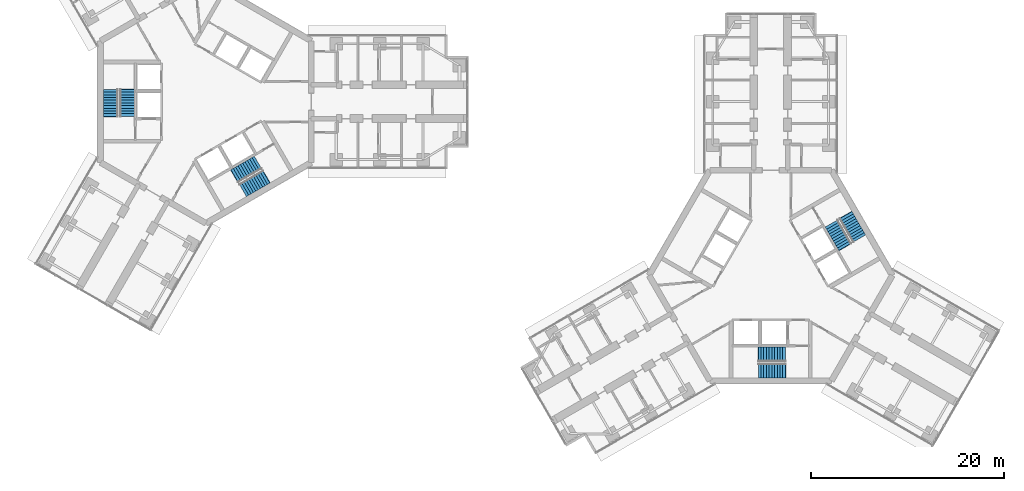
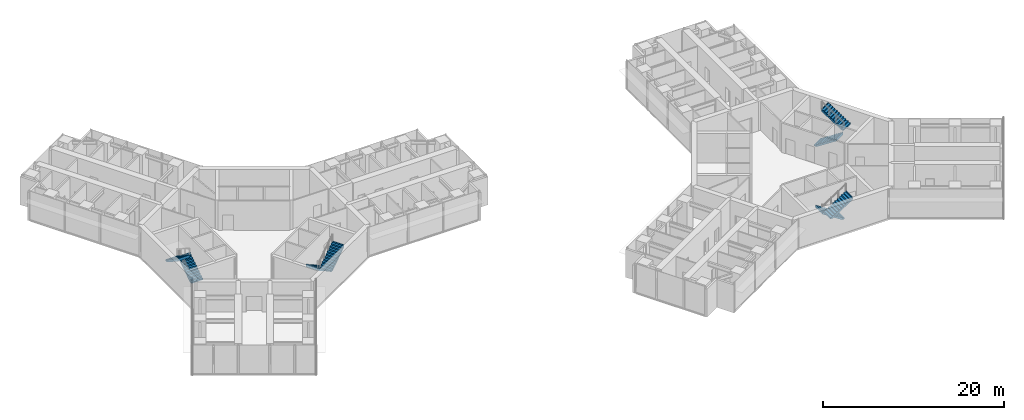
# One storey, part 21 of 22: 8 stair flights, 4 elements without a shape of their own.
"""IFC4 building model written with IfcOpenShell, lengths in metres."""

import ifcopenshell
import ifcopenshell.guid

model = None  # the IFC model being written
_history = None  # IfcOwnerHistory: only IFC2X3 demands one
_inside = {}  # id of a spatial element -> (the spatial element, [elements in it])
_under = {}  # id of a project, library or spatial element -> (it, [spatial elements below it])
_declared = {}  # id of a project -> (the project, [libraries it declares])
_typed = {}  # id of a type object -> (the type object, [elements of that type])
_made_of = {}  # id of a material, layer set ... -> (it, [elements and type objects made of it])


def new_model(schema):
    """Start an empty IFC model of exactly this schema.

    Asked for "IFC4X3", IfcOpenShell would pick the latest addendum, in which some entities
    have other attributes; the version numbers below select the first issue.
    IFC2X3 requires an IfcOwnerHistory on every rooted entity: one is made here for all.
    """
    global model, _history
    if schema == "IFC4X3":
        model = ifcopenshell.file(schema_version=(4, 3, 0, 0))
    else:
        model = ifcopenshell.file(schema=schema)
    _inside.clear()
    _under.clear()
    _declared.clear()
    _typed.clear()
    _made_of.clear()
    _history = None
    if model.schema == "IFC2X3":
        org = make("IfcOrganization", Name="unknown")
        user = make(
            "IfcPersonAndOrganization",
            ThePerson=make("IfcPerson", FamilyName="unknown"),
            TheOrganization=org,
        )
        app = make(
            "IfcApplication",
            ApplicationDeveloper=org,
            Version="unknown",
            ApplicationFullName="unknown",
            ApplicationIdentifier="unknown",
        )
        _history = make(
            "IfcOwnerHistory",
            OwningUser=user,
            OwningApplication=app,
            ChangeAction="ADDED",
            CreationDate=0,
        )
    return model


def make(cls, **values):
    """One entity of the class cls with the attributes given. An attribute that is None is left unset."""
    return model.create_entity(
        cls, **{name: value for name, value in values.items() if value is not None}
    )


def rooted(cls, **values):
    """An entity with a GlobalId (a new one), such as an element, a storey or a relation."""
    return make(cls, GlobalId=ifcopenshell.guid.new(), OwnerHistory=_history, **values)


def si_unit(unit_type, name, prefix=None):
    """IfcSIUnit, for example si_unit("LENGTHUNIT", "METRE", prefix="MILLI")."""
    return make("IfcSIUnit", UnitType=unit_type, Prefix=prefix, Name=name)


def assignment(units):
    """IfcUnitAssignment: the units of a project."""
    return None if units is None else make("IfcUnitAssignment", Units=units)


def point(xyz):
    """IfcCartesianPoint."""
    return None if xyz is None else make("IfcCartesianPoint", Coordinates=xyz)


def direction(xyz):
    """IfcDirection."""
    return None if xyz is None else make("IfcDirection", DirectionRatios=xyz)


def frame(location, z_axis=None, x_axis=None):
    """IfcAxis2Placement3D, a coordinate frame: its origin and axes. An axis left out is left unset."""
    return make(
        "IfcAxis2Placement3D",
        Location=point(location),
        Axis=direction(z_axis),
        RefDirection=direction(x_axis),
    )


def origin():
    """The frame at (0, 0, 0) with its axes left unset."""
    return frame((0.0, 0.0, 0.0))


def place(relative_to, where):
    """IfcLocalPlacement: puts the frame where relative to a parent placement (None: the world)."""
    return make(
        "IfcLocalPlacement", PlacementRelTo=relative_to, RelativePlacement=where
    )


def context(
    kind, dimensions, precision=None, world=None, true_north=None, identifier=None
):
    """IfcGeometricRepresentationContext, for example the 3D "Model" context."""
    return make(
        "IfcGeometricRepresentationContext",
        ContextIdentifier=identifier,
        ContextType=kind,
        CoordinateSpaceDimension=dimensions,
        Precision=precision,
        WorldCoordinateSystem=world,
        TrueNorth=true_north,
    )


def subcontext(parent, identifier, kind, view, scale=None):
    """IfcGeometricRepresentationSubContext, for example "Body" below "Model"."""
    return make(
        "IfcGeometricRepresentationSubContext",
        ContextIdentifier=identifier,
        ContextType=kind,
        ParentContext=parent,
        TargetScale=scale,
        TargetView=view,
    )


def project(units=None, contexts=None):
    """IfcProject with its units and contexts."""
    return rooted(
        "IfcProject",
        Name="project",
        RepresentationContexts=contexts,
        UnitsInContext=assignment(units),
    )


def spatial(cls, under=None, at=None, **own):
    """A site, building, storey or space (cls), placed at a placement, below another one or the project."""
    s = rooted(cls, ObjectPlacement=at, **own)
    if under is not None:
        _under.setdefault(under.id(), (under, []))[1].append(s)
    return s


def polyline(points):
    """IfcPolyline through the points."""
    return make("IfcPolyline", Points=[point(p) for p in points])


def outline(outer, holes=None, kind="AREA"):
    """IfcArbitraryClosedProfileDef: a profile drawn as a closed curve; with holes, ...WithVoids."""
    if holes is None:
        return make("IfcArbitraryClosedProfileDef", ProfileType=kind, OuterCurve=outer)
    return make(
        "IfcArbitraryProfileDefWithVoids",
        ProfileType=kind,
        OuterCurve=outer,
        InnerCurves=holes,
    )


def extrude(swept, where, along, depth):
    """IfcExtrudedAreaSolid: the profile swept, set in the frame where, extruded along a direction by depth."""
    return make(
        "IfcExtrudedAreaSolid",
        SweptArea=swept,
        Position=where,
        ExtrudedDirection=direction(along),
        Depth=depth,
    )


def shape(context_of_items, identifier, shape_type, items):
    """IfcShapeRepresentation: the items that make up one representation, for example the "Body"."""
    return make(
        "IfcShapeRepresentation",
        ContextOfItems=context_of_items,
        RepresentationIdentifier=identifier,
        RepresentationType=shape_type,
        Items=items,
    )


def material(Name=None, Category=None):
    """IfcMaterial."""
    return make("IfcMaterial", Name=Name, Category=Category)


def made_of(thing, what):
    """Note that an element or type object is made of a material, layer set ...; save() writes the relation."""
    if what is not None:
        _made_of.setdefault(what.id(), (what, []))[1].append(thing)
    return thing


def type_object(cls, material=None, **own):
    """A type object (cls), such as IfcWallType, which elements share."""
    return made_of(rooted(cls, **own), material)


def element(
    cls,
    number,
    at=None,
    inside=None,
    cuts=None,
    type_object=None,
    material=None,
    context=None,
    identifier="Body",
    shape_type=None,
    held_by="IfcProductDefinitionShape",
    body=None,
    shapes=None,
    **own,
):
    """One element of the class cls, such as IfcWall. Its Tag is "e" and its number.

    at: its placement. inside: the storey or other place that contains it. cuts: it is an
    opening in that element (IfcRelVoidsElement). A single representation is given by context,
    identifier, shape_type and body (its items); several are given by shapes. held_by: the class
    of the entity that holds the representations. save() writes the other relations.
    """
    e = rooted(cls, Tag="e%d" % number, ObjectPlacement=at, **own)
    if body is not None:
        shapes = [shape(context, identifier, shape_type, body)]
    if shapes is not None:
        e.Representation = make(held_by, Representations=shapes)
    if inside is not None:
        _inside.setdefault(inside.id(), (inside, []))[1].append(e)
    if cuts is not None:
        rooted(
            "IfcRelVoidsElement", RelatingBuildingElement=cuts, RelatedOpeningElement=e
        )
    if type_object is not None:
        _typed.setdefault(type_object.id(), (type_object, []))[1].append(e)
    return made_of(e, material)


def aggregate(whole, parts):
    """IfcRelAggregates: a whole, such as a stair, and the parts it consists of."""
    return rooted("IfcRelAggregates", RelatingObject=whole, RelatedObjects=parts)


def save(model, path):
    """Write the relations noted so far, then the file.

    IfcRelAggregates (storeys below a building ...), IfcRelContainedInSpatialStructure (elements
    in a storey), IfcRelDefinesByType, IfcRelAssociatesMaterial and IfcRelDeclares: one each for
    every whole, place, type object, material and project.
    """
    for whole, parts in _under.values():
        aggregate(whole, parts)
    for where, things in _inside.values():
        rooted(
            "IfcRelContainedInSpatialStructure",
            RelatedElements=things,
            RelatingStructure=where,
        )
    for kind, things in _typed.values():
        rooted("IfcRelDefinesByType", RelatedObjects=things, RelatingType=kind)
    for what, things in _made_of.values():
        rooted("IfcRelAssociatesMaterial", RelatedObjects=things, RelatingMaterial=what)
    for by, libraries in _declared.values():
        rooted("IfcRelDeclares", RelatingContext=by, RelatedDefinitions=libraries)
    model.write(path)


model = new_model("IFC4")

# Units and contexts
model_context = context("Model", 3, precision=1e-05, world=origin(), true_north=direction((0.0, 1.0)))
body_context = subcontext(model_context, "Body", "Model", "MODEL_VIEW")
ifc_project = project(units=[si_unit("LENGTHUNIT", "METRE"), si_unit("AREAUNIT", "SQUARE_METRE"), si_unit("VOLUMEUNIT", "CUBIC_METRE"), si_unit("PLANEANGLEUNIT", "RADIAN"), si_unit("MASSUNIT", "GRAM", prefix="KILO")], contexts=[model_context])

# Site, building, storey
site_placement = place(None, origin())
site = spatial("IfcSite", under=ifc_project, at=site_placement, CompositionType="ELEMENT")
building_placement = place(site_placement, origin())
building = spatial("IfcBuilding", under=site, at=building_placement, Name="Upepo Twin Towers", CompositionType="ELEMENT")
storey_placement = place(building_placement, frame((0.0, 0.0, 137.5)))
storey = spatial("IfcBuildingStorey", under=building, at=storey_placement, Name="L33", CompositionType="ELEMENT", Elevation=137.5)

# Stair, stair flights
ifc_material_1 = material(Name="Concrete C40/50", Category="concrete")
stair_type = type_object("IfcStairType", Name="Core stair, two flights", PredefinedType="HALF_TURN_STAIR", material=ifc_material_1)
stair_1_placement = place(storey_placement, origin())
stair_1 = element("IfcStair", 1, at=stair_1_placement, inside=storey, type_object=stair_type, Name="T1 stair S1 L33", PredefinedType="HALF_TURN_STAIR")
ifc_material_2 = material(Name="Concrete C40/50", Category="concrete")
stair_flight_type = type_object("IfcStairFlightType", Name="Stair flight 1500 RC", PredefinedType="STRAIGHT", material=ifc_material_2)
stair_flight_1_placement = place(storey_placement, frame((-8.14990234375, -1.52001953125, 0.0), z_axis=(0.0, 0.0, 1.0), x_axis=(0.0, 1.0, 0.0)))
stair_flight_1 = element("IfcStairFlight", 2, at=stair_flight_1_placement, type_object=stair_flight_type, Name="Stair S1 flight 1", NumberOfRisers=11, NumberOfTreads=10, PredefinedType="STRAIGHT", RiserHeight=0.181818182, TreadLength=0.28, context=body_context, shape_type="SweptSolid", body=[
    extrude(outline(polyline([(0.0, 0.0), (0.0, 0.181884765625), (0.280029296875, 0.181884765625), (0.280029296875, 0.363525390625), (0.56005859375, 0.363525390625), (0.56005859375, 0.54541015625), (0.840087890625, 0.54541015625), (0.840087890625, 0.727294921875), (1.1201171875, 0.727294921875), (1.1201171875, 0.9091796875), (1.39990234375, 0.9091796875), (1.39990234375, 1.0908203125), (1.679931640625, 1.0908203125), (1.679931640625, 1.272705078125), (1.9599609375, 1.272705078125), (1.9599609375, 1.45458984375), (2.239990234375, 1.45458984375), (2.239990234375, 1.636474609375), (2.52001953125, 1.636474609375), (2.52001953125, 1.818115234375), (2.800048828125, 1.818115234375), (2.800048828125, 2.0), (2.85009765625, 2.0), (2.85009765625, 1.639404296875), (0.3251953125, 0.0), (0.0, 0.0)])), frame((0.0, 0.75, 0.0), z_axis=(0.0, -1.0, 0.0), x_axis=(1.0, 0.0, 0.0)), (0.0, 0.0, 1.0), 1.5),
])
stair_flight_2_placement = place(storey_placement, frame((-9.8583984375, 1.280029296875, 2.0), z_axis=(0.0, 0.0, 1.0), x_axis=(0.0, -1.0, 0.0)))
stair_flight_2 = element("IfcStairFlight", 3, at=stair_flight_2_placement, type_object=stair_flight_type, Name="Stair S1 flight 2", NumberOfRisers=11, NumberOfTreads=10, PredefinedType="STRAIGHT", RiserHeight=0.181818182, TreadLength=0.28, context=body_context, shape_type="SweptSolid", body=[
    extrude(outline(polyline([(0.0, 0.0), (0.0, 0.181884765625), (0.280029296875, 0.181884765625), (0.280029296875, 0.363525390625), (0.56005859375, 0.363525390625), (0.56005859375, 0.54541015625), (0.840087890625, 0.54541015625), (0.840087890625, 0.727294921875), (1.1201171875, 0.727294921875), (1.1201171875, 0.9091796875), (1.39990234375, 0.9091796875), (1.39990234375, 1.0908203125), (1.679931640625, 1.0908203125), (1.679931640625, 1.272705078125), (1.9599609375, 1.272705078125), (1.9599609375, 1.45458984375), (2.239990234375, 1.45458984375), (2.239990234375, 1.636474609375), (2.52001953125, 1.636474609375), (2.52001953125, 1.818115234375), (2.800048828125, 1.818115234375), (2.800048828125, 2.0), (2.85009765625, 2.0), (2.85009765625, 1.639404296875), (0.3251953125, 0.0), (0.0, 0.0)])), frame((0.0, 0.75, 0.0), z_axis=(0.0, -1.0, 0.0), x_axis=(1.0, 0.0, 0.0)), (0.0, 0.0, 1.0), 1.5),
])
aggregate(stair_1, [stair_flight_1, stair_flight_2])

stair_2_placement = place(storey_placement, origin())
stair_2 = element("IfcStair", 4, at=stair_2_placement, inside=storey, type_object=stair_type, Name="T1 stair S2 L33", PredefinedType="HALF_TURN_STAIR")
stair_flight_3_placement = place(storey_placement, frame((5.391357421875, -6.298095703125, 0.0), z_axis=(0.0, 0.0, 1.0), x_axis=(-0.866025403784, -0.5, 0.0)))
stair_flight_3 = element("IfcStairFlight", 5, at=stair_flight_3_placement, type_object=stair_flight_type, Name="Stair S2 flight 1", NumberOfRisers=11, NumberOfTreads=10, PredefinedType="STRAIGHT", RiserHeight=0.181818182, TreadLength=0.28, context=body_context, shape_type="SweptSolid", body=[
    extrude(outline(polyline([(0.0, 0.0), (0.0, 0.181884765625), (0.280029296875, 0.181884765625), (0.280029296875, 0.363525390625), (0.56005859375, 0.363525390625), (0.56005859375, 0.54541015625), (0.840087890625, 0.54541015625), (0.840087890625, 0.727294921875), (1.1201171875, 0.727294921875), (1.1201171875, 0.9091796875), (1.39990234375, 0.9091796875), (1.39990234375, 1.0908203125), (1.679931640625, 1.0908203125), (1.679931640625, 1.272705078125), (1.9599609375, 1.272705078125), (1.9599609375, 1.45458984375), (2.239990234375, 1.45458984375), (2.239990234375, 1.636474609375), (2.52001953125, 1.636474609375), (2.52001953125, 1.818115234375), (2.800048828125, 1.818115234375), (2.800048828125, 2.0), (2.85009765625, 2.0), (2.85009765625, 1.639404296875), (0.3251953125, 0.0), (0.0, 0.0)])), frame((0.0, 0.75, 0.0), z_axis=(0.0, -1.0, 0.0), x_axis=(1.0, 0.0, 0.0)), (0.0, 0.0, 1.0), 1.5),
])
stair_flight_4_placement = place(storey_placement, frame((3.820556640625, -9.177490234375, 2.0), z_axis=(0.0, 0.0, 1.0), x_axis=(0.866025403784, 0.5, 0.0)))
stair_flight_4 = element("IfcStairFlight", 6, at=stair_flight_4_placement, type_object=stair_flight_type, Name="Stair S2 flight 2", NumberOfRisers=11, NumberOfTreads=10, PredefinedType="STRAIGHT", RiserHeight=0.181818182, TreadLength=0.28, context=body_context, shape_type="SweptSolid", body=[
    extrude(outline(polyline([(0.0, 0.0), (0.0, 0.181884765625), (0.280029296875, 0.181884765625), (0.280029296875, 0.363525390625), (0.56005859375, 0.363525390625), (0.56005859375, 0.54541015625), (0.840087890625, 0.54541015625), (0.840087890625, 0.727294921875), (1.1201171875, 0.727294921875), (1.1201171875, 0.9091796875), (1.39990234375, 0.9091796875), (1.39990234375, 1.0908203125), (1.679931640625, 1.0908203125), (1.679931640625, 1.272705078125), (1.9599609375, 1.272705078125), (1.9599609375, 1.45458984375), (2.239990234375, 1.45458984375), (2.239990234375, 1.636474609375), (2.52001953125, 1.636474609375), (2.52001953125, 1.818115234375), (2.800048828125, 1.818115234375), (2.800048828125, 2.0), (2.85009765625, 2.0), (2.85009765625, 1.639404296875), (0.3251953125, 0.0), (0.0, 0.0)])), frame((0.0, 0.75, 0.0), z_axis=(0.0, -1.0, 0.0), x_axis=(1.0, 0.0, 0.0)), (0.0, 0.0, 1.0), 1.5),
])
aggregate(stair_2, [stair_flight_3, stair_flight_4])

stair_3_placement = place(storey_placement, origin())
stair_3 = element("IfcStair", 7, at=stair_3_placement, inside=storey, type_object=stair_type, Name="T2 stair S1 L33", PredefinedType="HALF_TURN_STAIR")
stair_flight_5_placement = place(storey_placement, frame((60.02001953125, -26.14990234375, 0.0), z_axis=(0.0, 0.0, 1.0), x_axis=(-1.0, 0.0, 0.0)))
stair_flight_5 = element("IfcStairFlight", 8, at=stair_flight_5_placement, type_object=stair_flight_type, Name="Stair S1 flight 1", NumberOfRisers=11, NumberOfTreads=10, PredefinedType="STRAIGHT", RiserHeight=0.181818182, TreadLength=0.28, context=body_context, shape_type="SweptSolid", body=[
    extrude(outline(polyline([(0.0, 0.0), (0.0, 0.181884765625), (0.280029296875, 0.181884765625), (0.280029296875, 0.363525390625), (0.56005859375, 0.363525390625), (0.56005859375, 0.54541015625), (0.840087890625, 0.54541015625), (0.840087890625, 0.727294921875), (1.1201171875, 0.727294921875), (1.1201171875, 0.9091796875), (1.39990234375, 0.9091796875), (1.39990234375, 1.0908203125), (1.679931640625, 1.0908203125), (1.679931640625, 1.272705078125), (1.9599609375, 1.272705078125), (1.9599609375, 1.45458984375), (2.239990234375, 1.45458984375), (2.239990234375, 1.636474609375), (2.52001953125, 1.636474609375), (2.52001953125, 1.818115234375), (2.800048828125, 1.818115234375), (2.800048828125, 2.0), (2.85009765625, 2.0), (2.85009765625, 1.639404296875), (0.3251953125, 0.0), (0.0, 0.0)])), frame((0.0, 0.75, 0.0), z_axis=(0.0, -1.0, 0.0), x_axis=(1.0, 0.0, 0.0)), (0.0, 0.0, 1.0), 1.5),
])
stair_flight_6_placement = place(storey_placement, frame((57.219970703125, -27.8583984375, 2.0), z_axis=(0.0, 0.0, 1.0), x_axis=(1.0, 0.0, 0.0)))
stair_flight_6 = element("IfcStairFlight", 9, at=stair_flight_6_placement, type_object=stair_flight_type, Name="Stair S1 flight 2", NumberOfRisers=11, NumberOfTreads=10, PredefinedType="STRAIGHT", RiserHeight=0.181818182, TreadLength=0.28, context=body_context, shape_type="SweptSolid", body=[
    extrude(outline(polyline([(0.0, 0.0), (0.0, 0.181884765625), (0.280029296875, 0.181884765625), (0.280029296875, 0.363525390625), (0.56005859375, 0.363525390625), (0.56005859375, 0.54541015625), (0.840087890625, 0.54541015625), (0.840087890625, 0.727294921875), (1.1201171875, 0.727294921875), (1.1201171875, 0.9091796875), (1.39990234375, 0.9091796875), (1.39990234375, 1.0908203125), (1.679931640625, 1.0908203125), (1.679931640625, 1.272705078125), (1.9599609375, 1.272705078125), (1.9599609375, 1.45458984375), (2.239990234375, 1.45458984375), (2.239990234375, 1.636474609375), (2.52001953125, 1.636474609375), (2.52001953125, 1.818115234375), (2.800048828125, 1.818115234375), (2.800048828125, 2.0), (2.85009765625, 2.0), (2.85009765625, 1.639404296875), (0.3251953125, 0.0), (0.0, 0.0)])), frame((0.0, 0.75, 0.0), z_axis=(0.0, -1.0, 0.0), x_axis=(1.0, 0.0, 0.0)), (0.0, 0.0, 1.0), 1.5),
])
aggregate(stair_3, [stair_flight_5, stair_flight_6])

stair_4_placement = place(storey_placement, origin())
stair_4 = element("IfcStair", 10, at=stair_4_placement, inside=storey, type_object=stair_type, Name="T2 stair S2 L33", PredefinedType="HALF_TURN_STAIR")
stair_flight_7_placement = place(storey_placement, frame((64.798095703125, -12.608642578125, 0.0), z_axis=(0.0, 0.0, 1.0), x_axis=(0.5, -0.866025403784, 0.0)))
stair_flight_7 = element("IfcStairFlight", 11, at=stair_flight_7_placement, type_object=stair_flight_type, Name="Stair S2 flight 1", NumberOfRisers=11, NumberOfTreads=10, PredefinedType="STRAIGHT", RiserHeight=0.181818182, TreadLength=0.28, context=body_context, shape_type="SweptSolid", body=[
    extrude(outline(polyline([(0.0, 0.0), (0.0, 0.181884765625), (0.280029296875, 0.181884765625), (0.280029296875, 0.363525390625), (0.56005859375, 0.363525390625), (0.56005859375, 0.54541015625), (0.840087890625, 0.54541015625), (0.840087890625, 0.727294921875), (1.1201171875, 0.727294921875), (1.1201171875, 0.9091796875), (1.39990234375, 0.9091796875), (1.39990234375, 1.0908203125), (1.679931640625, 1.0908203125), (1.679931640625, 1.272705078125), (1.9599609375, 1.272705078125), (1.9599609375, 1.45458984375), (2.239990234375, 1.45458984375), (2.239990234375, 1.636474609375), (2.52001953125, 1.636474609375), (2.52001953125, 1.818115234375), (2.800048828125, 1.818115234375), (2.800048828125, 2.0), (2.85009765625, 2.0), (2.85009765625, 1.639404296875), (0.3251953125, 0.0), (0.0, 0.0)])), frame((0.0, 0.75, 0.0), z_axis=(0.0, -1.0, 0.0), x_axis=(1.0, 0.0, 0.0)), (0.0, 0.0, 1.0), 1.5),
])
stair_flight_8_placement = place(storey_placement, frame((67.677490234375, -14.179443359375, 2.0), z_axis=(0.0, 0.0, 1.0), x_axis=(-0.5, 0.866025403784, 0.0)))
stair_flight_8 = element("IfcStairFlight", 12, at=stair_flight_8_placement, type_object=stair_flight_type, Name="Stair S2 flight 2", NumberOfRisers=11, NumberOfTreads=10, PredefinedType="STRAIGHT", RiserHeight=0.181818182, TreadLength=0.28, context=body_context, shape_type="SweptSolid", body=[
    extrude(outline(polyline([(0.0, 0.0), (0.0, 0.181884765625), (0.280029296875, 0.181884765625), (0.280029296875, 0.363525390625), (0.56005859375, 0.363525390625), (0.56005859375, 0.54541015625), (0.840087890625, 0.54541015625), (0.840087890625, 0.727294921875), (1.1201171875, 0.727294921875), (1.1201171875, 0.9091796875), (1.39990234375, 0.9091796875), (1.39990234375, 1.0908203125), (1.679931640625, 1.0908203125), (1.679931640625, 1.272705078125), (1.9599609375, 1.272705078125), (1.9599609375, 1.45458984375), (2.239990234375, 1.45458984375), (2.239990234375, 1.636474609375), (2.52001953125, 1.636474609375), (2.52001953125, 1.818115234375), (2.800048828125, 1.818115234375), (2.800048828125, 2.0), (2.85009765625, 2.0), (2.85009765625, 1.639404296875), (0.3251953125, 0.0), (0.0, 0.0)])), frame((0.0, 0.75, 0.0), z_axis=(0.0, -1.0, 0.0), x_axis=(1.0, 0.0, 0.0)), (0.0, 0.0, 1.0), 1.5),
])
aggregate(stair_4, [stair_flight_7, stair_flight_8])

save(model, "model.ifc")
